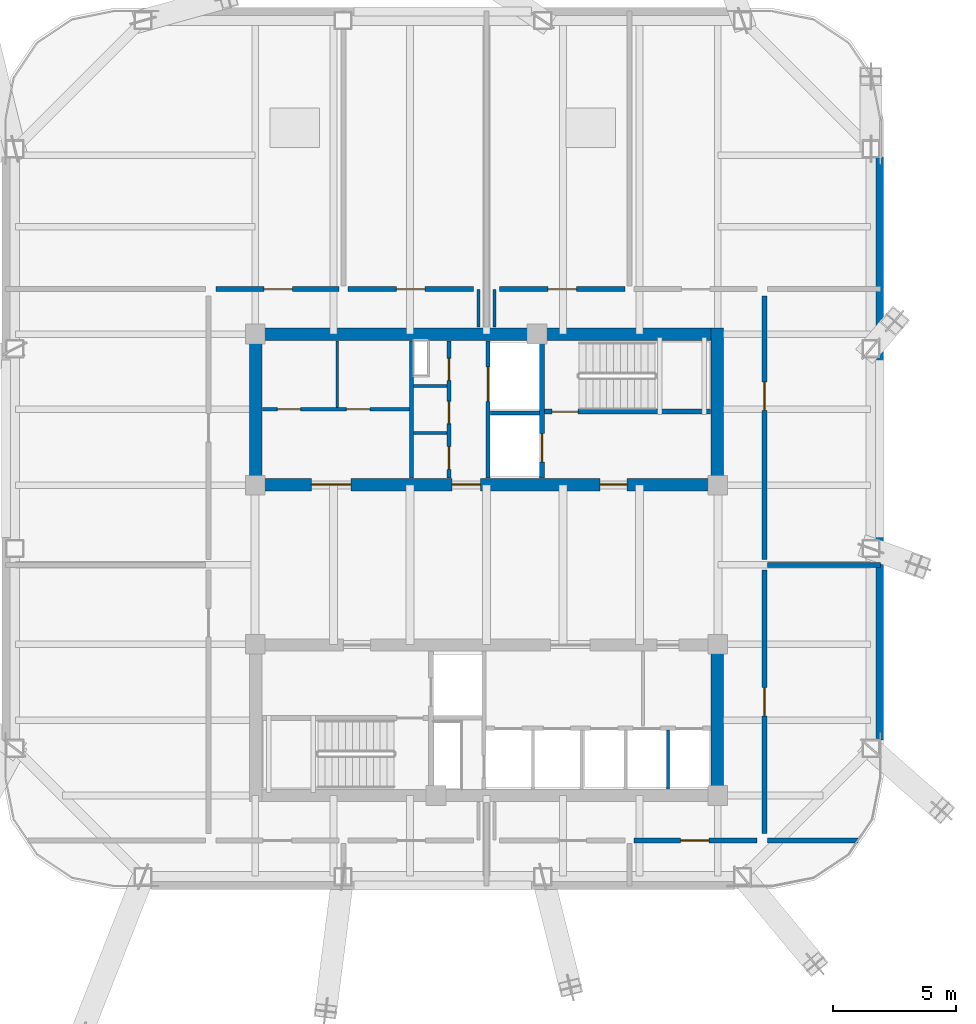
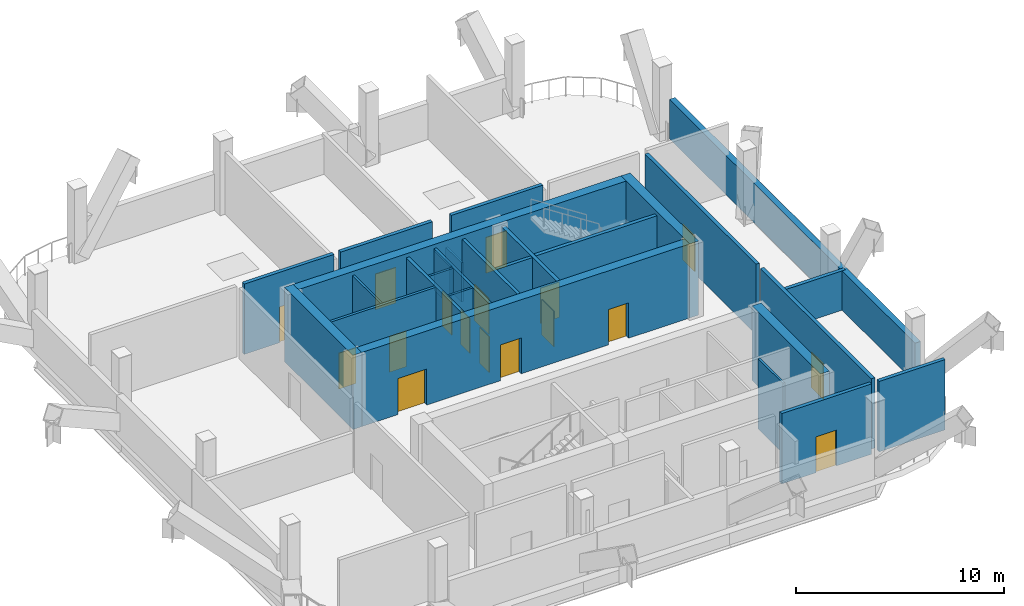
# One storey, part 4 of 8: 27 walls, 17 doors, 17 openings.
"""IFC4 building model written with IfcOpenShell, lengths in metres."""

from ifc_helpers import new_model, si_unit, direction, frame, frame_2d, origin, place, context, subcontext, project, spatial, rectangle, extrude, material, layer, layer_set, type_object, element, fill, save


model = new_model("IFC4")

# Units and contexts
model_context = context("Model", 3, precision=1e-05, world=origin(), true_north=direction((0.0, 1.0)))
body_context = subcontext(model_context, "Body", "Model", "MODEL_VIEW")
ifc_project = project(units=[si_unit("LENGTHUNIT", "METRE"), si_unit("AREAUNIT", "SQUARE_METRE"), si_unit("VOLUMEUNIT", "CUBIC_METRE"), si_unit("PLANEANGLEUNIT", "RADIAN"), si_unit("MASSUNIT", "GRAM", prefix="KILO")], contexts=[model_context])

# Site, building, storey
site_placement = place(None, origin())
site = spatial("IfcSite", under=ifc_project, at=site_placement, CompositionType="ELEMENT")
building_placement = place(site_placement, origin())
building = spatial("IfcBuilding", under=site, at=building_placement, Name="Qhalaya Broadcast Tower", CompositionType="ELEMENT")
storey_placement = place(building_placement, frame((0.0, 0.0, 151.800048828125)))
storey = spatial("IfcBuildingStorey", under=building, at=storey_placement, Name="L44", CompositionType="ELEMENT", Elevation=151.800048828125)

# Wall, openings, doors
ifc_material_1 = material(Name="Gypsum Acoustic Partition")
ifc_layer_1 = layer(ifc_material_1, 0.14990234375, Name="Gypsum Acoustic Partition")
ifc_layer_set_1 = layer_set([ifc_layer_1], Name="Gypsum Acoustic Partition")
wall_type_1 = type_object("IfcWallType", Name="Corridor & Tenancy Acoustic Partition 150", PredefinedType="PARTITIONING", material=ifc_layer_set_1)
wall_1_placement = place(storey_placement, frame((-1.52001953125, 4.1201171875, 0.0), z_axis=(0.0, 0.0, 1.0), x_axis=(0.0, 1.0, 0.0)))
wall_1 = element("IfcWall", 1, at=wall_1_placement, inside=storey, type_object=wall_type_1, Name="L44 Partition Wall NCW-SVL", PredefinedType="PARTITIONING", context=body_context, shape_type="SweptSolid", body=[
    extrude(rectangle(XDim=5.559814453125, YDim=0.14990234375, at=frame_2d((2.77978515625, 0.0))), origin(), (0.0, 0.0, 1.0), 4.1298828125),
])
opening_1_placement = place(wall_1_placement, frame((3.949951171875, 0.0, 0.0)))
opening_1 = element("IfcOpeningElement", 2, at=opening_1_placement, cuts=wall_1, Name="Opening D06", PredefinedType="OPENING", context=body_context, shape_type="SweptSolid", body=[
    extrude(rectangle(XDim=0.89990234375, YDim=2.050048828125, at=frame_2d((0.449951171875, 1.02490234375))), frame((0.0, 0.0869140625, 0.0), z_axis=(0.0, -1.0, 0.0), x_axis=(1.0, 0.0, 0.0)), (0.0, 0.0, 1.0), 0.173828125),
])
opening_2_placement = place(wall_1_placement, frame((2.199951171875, 0.0, 0.0)))
opening_2 = element("IfcOpeningElement", 3, at=opening_2_placement, cuts=wall_1, Name="Opening D06", PredefinedType="OPENING", context=body_context, shape_type="SweptSolid", body=[
    extrude(rectangle(XDim=0.89990234375, YDim=2.050048828125, at=frame_2d((0.449951171875, 1.02490234375))), frame((0.0, 0.0869140625, 0.0), z_axis=(0.0, -1.0, 0.0), x_axis=(1.0, 0.0, 0.0)), (0.0, 0.0, 1.0), 0.173828125),
])
opening_3_placement = place(wall_1_placement, frame((0.35009765625, 0.0, 0.0)))
opening_3 = element("IfcOpeningElement", 4, at=opening_3_placement, cuts=wall_1, Name="Opening D12", PredefinedType="OPENING", context=body_context, shape_type="SweptSolid", body=[
    extrude(rectangle(XDim=0.919921875, YDim=2.10009765625, at=frame_2d((0.4599609375, 1.050048828125))), frame((0.0, 0.0869140625, 0.0), z_axis=(0.0, -1.0, 0.0), x_axis=(1.0, 0.0, 0.0)), (0.0, 0.0, 1.0), 0.173828125),
])
ifc_material_2 = material(Name="Timber Veneer Acoustic Door", Category="wood")
door_type_1 = type_object("IfcDoorType", Name="Accessible WC & Restroom Door D12", OperationType="NOTDEFINED", PredefinedType="DOOR", material=ifc_material_2)
door_1_placement = place(opening_3_placement, origin())
door_1 = element("IfcDoor", 5, at=door_1_placement, inside=storey, type_object=door_type_1, Name="L44 Door D-NCWC", OperationType="SINGLE_SWING_RIGHT", OverallHeight=2.10009765625, OverallWidth=0.919921875, PredefinedType="DOOR", context=body_context, shape_type="SweptSolid", body=[
    extrude(rectangle(XDim=0.919921875, YDim=2.10009765625, at=frame_2d((0.4599609375, 1.050048828125))), frame((0.0, 0.02490234375, 0.0), z_axis=(0.0, -1.0, 0.0), x_axis=(1.0, 0.0, 0.0)), (0.0, 0.0, 1.0), 0.050048828125),
])
fill(opening_3, door_1)
ifc_material_3 = material(Name="Fire-Rated Steel Door", Category="steel")
door_type_2 = type_object("IfcDoorType", Name="Riser & Electrical Shaft Access Door D06", OperationType="NOTDEFINED", PredefinedType="DOOR", material=ifc_material_3)
door_2_placement = place(opening_1_placement, origin())
door_2 = element("IfcDoor", 6, at=door_2_placement, inside=storey, type_object=door_type_2, Name="L44 Riser Shaft Access Door D-NRSR", OperationType="SINGLE_SWING_RIGHT", OverallHeight=2.050048828125, OverallWidth=0.89990234375, PredefinedType="DOOR", context=body_context, shape_type="SweptSolid", body=[
    extrude(rectangle(XDim=0.89990234375, YDim=2.050048828125, at=frame_2d((0.449951171875, 1.02490234375))), frame((0.0, 0.02490234375, 0.0), z_axis=(0.0, -1.0, 0.0), x_axis=(1.0, 0.0, 0.0)), (0.0, 0.0, 1.0), 0.050048828125),
])
fill(opening_1, door_2)
door_3_placement = place(opening_2_placement, origin())
door_3 = element("IfcDoor", 7, at=door_3_placement, inside=storey, type_object=door_type_2, Name="L44 Door D-NITR", OperationType="SINGLE_SWING_LEFT", OverallHeight=2.050048828125, OverallWidth=0.89990234375, PredefinedType="DOOR", context=body_context, shape_type="SweptSolid", body=[
    extrude(rectangle(XDim=0.89990234375, YDim=2.050048828125, at=frame_2d((0.449951171875, 1.02490234375))), frame((0.0, 0.02490234375, 0.0), z_axis=(0.0, -1.0, 0.0), x_axis=(1.0, 0.0, 0.0)), (0.0, 0.0, 1.0), 0.050048828125),
])
fill(opening_2, door_3)

wall_2_placement = place(storey_placement, frame((-9.080078125, 6.89990234375, 0.0), z_axis=(0.0, 0.0, 1.0), x_axis=(1.0, 0.0, 0.0)))
wall_2 = element("IfcWall", 8, at=wall_2_placement, inside=storey, type_object=wall_type_1, Name="L44 Partition Wall NCW-REC1", PredefinedType="PARTITIONING", context=body_context, shape_type="SweptSolid", body=[
    extrude(rectangle(XDim=5.9599609375, YDim=0.14990234375, at=frame_2d((2.97998046875, 0.0))), origin(), (0.0, 0.0, 1.0), 4.1298828125),
])
opening_4_placement = place(wall_2_placement, frame((0.60009765625, 0.0, 0.0)))
opening_4 = element("IfcOpeningElement", 9, at=opening_4_placement, cuts=wall_2, Name="Opening D10", PredefinedType="OPENING", context=body_context, shape_type="SweptSolid", body=[
    extrude(rectangle(XDim=0.949951171875, YDim=2.10009765625, at=frame_2d((0.47509765625, 1.050048828125))), frame((0.0, 0.0869140625, 0.0), z_axis=(0.0, -1.0, 0.0), x_axis=(1.0, 0.0, 0.0)), (0.0, 0.0, 1.0), 0.173828125),
])
opening_5_placement = place(wall_2_placement, frame((3.39990234375, 0.0, 0.0)))
opening_5 = element("IfcOpeningElement", 10, at=opening_5_placement, cuts=wall_2, Name="Opening D10", PredefinedType="OPENING", context=body_context, shape_type="SweptSolid", body=[
    extrude(rectangle(XDim=0.949951171875, YDim=2.10009765625, at=frame_2d((0.47509765625, 1.050048828125))), frame((0.0, 0.0869140625, 0.0), z_axis=(0.0, -1.0, 0.0), x_axis=(1.0, 0.0, 0.0)), (0.0, 0.0, 1.0), 0.173828125),
])
door_type_3 = type_object("IfcDoorType", Name="Cellular Office & Edit Booth Door D10", OperationType="NOTDEFINED", PredefinedType="DOOR", material=ifc_material_2)
door_4_placement = place(opening_4_placement, origin())
door_4 = element("IfcDoor", 11, at=door_4_placement, inside=storey, type_object=door_type_3, Name="L44 Door D-NREC1", OperationType="SINGLE_SWING_LEFT", OverallHeight=2.10009765625, OverallWidth=0.949951171875, PredefinedType="DOOR", context=body_context, shape_type="SweptSolid", body=[
    extrude(rectangle(XDim=0.949951171875, YDim=2.10009765625, at=frame_2d((0.47509765625, 1.050048828125))), frame((0.0, 0.02490234375, 0.0), z_axis=(0.0, -1.0, 0.0), x_axis=(1.0, 0.0, 0.0)), (0.0, 0.0, 1.0), 0.050048828125),
])
fill(opening_4, door_4)
door_5_placement = place(opening_5_placement, origin())
door_5 = element("IfcDoor", 12, at=door_5_placement, inside=storey, type_object=door_type_3, Name="L44 Door D-NREC2", OperationType="SINGLE_SWING_RIGHT", OverallHeight=2.10009765625, OverallWidth=0.949951171875, PredefinedType="DOOR", context=body_context, shape_type="SweptSolid", body=[
    extrude(rectangle(XDim=0.949951171875, YDim=2.10009765625, at=frame_2d((0.47509765625, 1.050048828125))), frame((0.0, 0.02490234375, 0.0), z_axis=(0.0, -1.0, 0.0), x_axis=(1.0, 0.0, 0.0)), (0.0, 0.0, 1.0), 0.050048828125),
])
fill(opening_5, door_5)

# Wall, opening, door
ifc_layer_2 = layer(ifc_material_1, 0.199951171875, Name="Gypsum Acoustic Partition")
ifc_layer_set_2 = layer_set([ifc_layer_2], Name="Gypsum Acoustic Partition")
wall_type_2 = type_object("IfcWallType", Name="Firefighting Lobby & Stair Enclosure Wall 200", PredefinedType="PARTITIONING", material=ifc_layer_set_2)
wall_3_placement = place(storey_placement, frame((-5.97998046875, 11.77001953125, 0.0), z_axis=(0.0, 0.0, 1.0), x_axis=(-1.0, 0.0, 0.0)))
wall_3 = element("IfcWall", 13, at=wall_3_placement, inside=storey, type_object=wall_type_2, Name="L44 Partition Wall W-PCN0", PredefinedType="PARTITIONING", context=body_context, shape_type="SweptSolid", body=[
    extrude(rectangle(XDim=4.989990234375, YDim=0.199951171875, at=frame_2d((2.4951171875, 0.0))), origin(), (0.0, 0.0, 1.0), 4.1298828125),
])
opening_6_placement = place(wall_3_placement, frame((1.889892578125, 0.0, 0.0)))
opening_6 = element("IfcOpeningElement", 14, at=opening_6_placement, cuts=wall_3, Name="Opening D05", PredefinedType="OPENING", context=body_context, shape_type="SweptSolid", body=[
    extrude(rectangle(XDim=1.14990234375, YDim=2.10009765625, at=frame_2d((0.574951171875, 1.050048828125))), frame((0.0, 0.112060546875, 0.0), z_axis=(0.0, -1.0, 0.0), x_axis=(1.0, 0.0, 0.0)), (0.0, 0.0, 1.0), 0.223876953125),
])
door_type_4 = type_object("IfcDoorType", Name="Refuge & Plant Room Fire Door D05", OperationType="NOTDEFINED", PredefinedType="DOOR", material=ifc_material_3)
door_6_placement = place(opening_6_placement, origin())
door_6 = element("IfcDoor", 15, at=door_6_placement, inside=storey, type_object=door_type_4, Name="L44 Door D-PCN0", OperationType="SINGLE_SWING_LEFT", OverallHeight=2.10009765625, OverallWidth=1.14990234375, PredefinedType="DOOR", context=body_context, shape_type="SweptSolid", body=[
    extrude(rectangle(XDim=1.14990234375, YDim=2.10009765625, at=frame_2d((0.574951171875, 1.050048828125))), frame((0.0, 0.02490234375, 0.0), z_axis=(0.0, -1.0, 0.0), x_axis=(1.0, 0.0, 0.0)), (0.0, 0.0, 1.0), 0.050048828125),
])
fill(opening_6, door_6)

wall_4_placement = place(storey_placement, frame((-0.530029296875, 11.77001953125, 0.0), z_axis=(0.0, 0.0, 1.0), x_axis=(-1.0, 0.0, 0.0)))
wall_4 = element("IfcWall", 16, at=wall_4_placement, inside=storey, type_object=wall_type_2, Name="L44 Partition Wall W-PCN1", PredefinedType="PARTITIONING", context=body_context, shape_type="SweptSolid", body=[
    extrude(rectangle(XDim=5.090087890625, YDim=0.199951171875, at=frame_2d((2.544921875, 0.0))), origin(), (0.0, 0.0, 1.0), 4.1298828125),
])
opening_7_placement = place(wall_4_placement, frame((1.969970703125, 0.0, 0.0)))
opening_7 = element("IfcOpeningElement", 17, at=opening_7_placement, cuts=wall_4, Name="Opening D05", PredefinedType="OPENING", context=body_context, shape_type="SweptSolid", body=[
    extrude(rectangle(XDim=1.14990234375, YDim=2.10009765625, at=frame_2d((0.574951171875, 1.050048828125))), frame((0.0, 0.112060546875, 0.0), z_axis=(0.0, -1.0, 0.0), x_axis=(1.0, 0.0, 0.0)), (0.0, 0.0, 1.0), 0.223876953125),
])
door_7_placement = place(opening_7_placement, origin())
door_7 = element("IfcDoor", 18, at=door_7_placement, inside=storey, type_object=door_type_4, Name="L44 Door D-PCN1", OperationType="SINGLE_SWING_LEFT", OverallHeight=2.10009765625, OverallWidth=1.14990234375, PredefinedType="DOOR", context=body_context, shape_type="SweptSolid", body=[
    extrude(rectangle(XDim=1.14990234375, YDim=2.10009765625, at=frame_2d((0.574951171875, 1.050048828125))), frame((0.0, 0.02490234375, 0.0), z_axis=(0.0, -1.0, 0.0), x_axis=(1.0, 0.0, 0.0)), (0.0, 0.0, 1.0), 0.050048828125),
])
fill(opening_7, door_7)

wall_5_placement = place(storey_placement, frame((5.6201171875, 11.77001953125, 0.0), z_axis=(0.0, 0.0, 1.0), x_axis=(-1.0, 0.0, 0.0)))
wall_5 = element("IfcWall", 19, at=wall_5_placement, inside=storey, type_object=wall_type_2, Name="L44 Partition Wall W-PCN2", PredefinedType="PARTITIONING", context=body_context, shape_type="SweptSolid", body=[
    extrude(rectangle(XDim=5.090087890625, YDim=0.199951171875, at=frame_2d((2.544921875, 0.0))), origin(), (0.0, 0.0, 1.0), 4.1298828125),
])
opening_8_placement = place(wall_5_placement, frame((1.969970703125, 0.0, 0.0)))
opening_8 = element("IfcOpeningElement", 20, at=opening_8_placement, cuts=wall_5, Name="Opening D05", PredefinedType="OPENING", context=body_context, shape_type="SweptSolid", body=[
    extrude(rectangle(XDim=1.14990234375, YDim=2.10009765625, at=frame_2d((0.574951171875, 1.050048828125))), frame((0.0, 0.112060546875, 0.0), z_axis=(0.0, -1.0, 0.0), x_axis=(1.0, 0.0, 0.0)), (0.0, 0.0, 1.0), 0.223876953125),
])
door_8_placement = place(opening_8_placement, origin())
door_8 = element("IfcDoor", 21, at=door_8_placement, inside=storey, type_object=door_type_4, Name="L44 Door D-PCN2", OperationType="SINGLE_SWING_LEFT", OverallHeight=2.10009765625, OverallWidth=1.14990234375, PredefinedType="DOOR", context=body_context, shape_type="SweptSolid", body=[
    extrude(rectangle(XDim=1.14990234375, YDim=2.10009765625, at=frame_2d((0.574951171875, 1.050048828125))), frame((0.0, 0.02490234375, 0.0), z_axis=(0.0, -1.0, 0.0), x_axis=(1.0, 0.0, 0.0)), (0.0, 0.0, 1.0), 0.050048828125),
])
fill(opening_8, door_8)

wall_6_placement = place(storey_placement, frame((5.97998046875, -10.570068359375, 0.0), z_axis=(0.0, 0.0, 1.0), x_axis=(1.0, 0.0, 0.0)))
wall_6 = element("IfcWall", 22, at=wall_6_placement, inside=storey, type_object=wall_type_2, Name="L44 Partition Wall W-PCS3", PredefinedType="PARTITIONING", context=body_context, shape_type="SweptSolid", body=[
    extrude(rectangle(XDim=4.989990234375, YDim=0.199951171875, at=frame_2d((2.4951171875, 0.0))), origin(), (0.0, 0.0, 1.0), 4.1298828125),
])
opening_9_placement = place(wall_6_placement, frame((1.889892578125, 0.0, 0.0)))
opening_9 = element("IfcOpeningElement", 23, at=opening_9_placement, cuts=wall_6, Name="Opening D05", PredefinedType="OPENING", context=body_context, shape_type="SweptSolid", body=[
    extrude(rectangle(XDim=1.14990234375, YDim=2.10009765625, at=frame_2d((0.574951171875, 1.050048828125))), frame((0.0, 0.112060546875, 0.0), z_axis=(0.0, -1.0, 0.0), x_axis=(1.0, 0.0, 0.0)), (0.0, 0.0, 1.0), 0.223876953125),
])
door_9_placement = place(opening_9_placement, origin())
door_9 = element("IfcDoor", 24, at=door_9_placement, inside=storey, type_object=door_type_4, Name="L44 Door D-PCS3", OperationType="SINGLE_SWING_RIGHT", OverallHeight=2.10009765625, OverallWidth=1.14990234375, PredefinedType="DOOR", context=body_context, shape_type="SweptSolid", body=[
    extrude(rectangle(XDim=1.14990234375, YDim=2.10009765625, at=frame_2d((0.574951171875, 1.050048828125))), frame((0.0, 0.02490234375, 0.0), z_axis=(0.0, -1.0, 0.0), x_axis=(1.0, 0.0, 0.0)), (0.0, 0.0, 1.0), 0.050048828125),
])
fill(opening_9, door_9)

# Walls
wall_7_placement = place(storey_placement, frame((11.389892578125, -10.570068359375, 0.0), z_axis=(0.0, 0.0, 1.0), x_axis=(1.0, 0.0, 0.0)))
element("IfcWall", 25, at=wall_7_placement, inside=storey, type_object=wall_type_2, Name="L44 Partition Wall W-PBSE", PredefinedType="PARTITIONING", context=body_context, shape_type="SweptSolid", body=[
    extrude(rectangle(XDim=3.663330078125, YDim=0.199951171875, at=frame_2d((1.83154296875, 0.0))), origin(), (0.0, 0.0, 1.0), 4.1298828125),
])
wall_8_placement = place(storey_placement, frame((11.389892578125, 0.60009765625, 0.0), z_axis=(0.0, 0.0, 1.0), x_axis=(1.0, 0.0, 0.0)))
element("IfcWall", 26, at=wall_8_placement, inside=storey, type_object=wall_type_2, Name="L44 Partition Wall W-PDE1", PredefinedType="PARTITIONING", context=body_context, shape_type="SweptSolid", body=[
    extrude(rectangle(XDim=4.570068359375, YDim=0.199951171875, at=frame_2d((2.28515625, 0.0))), origin(), (0.0, 0.0, 1.0), 2.31005859375),
])

# Wall, opening, door
wall_9_placement = place(storey_placement, frame((11.27001953125, -10.2900390625, 0.0), z_axis=(0.0, 0.0, 1.0), x_axis=(0.0, 1.0, 0.0)))
wall_9 = element("IfcWall", 27, at=wall_9_placement, inside=storey, type_object=wall_type_2, Name="L44 Partition Wall W-PCE1", PredefinedType="PARTITIONING", context=body_context, shape_type="SweptSolid", body=[
    extrude(rectangle(XDim=10.679931640625, YDim=0.199951171875, at=frame_2d((5.33984375, 0.0))), origin(), (0.0, 0.0, 1.0), 4.1298828125),
])
opening_10_placement = place(wall_9_placement, frame((4.764892578125, 0.0, 0.0)))
opening_10 = element("IfcOpeningElement", 28, at=opening_10_placement, cuts=wall_9, Name="Opening D05", PredefinedType="OPENING", context=body_context, shape_type="SweptSolid", body=[
    extrude(rectangle(XDim=1.14990234375, YDim=2.10009765625, at=frame_2d((0.574951171875, 1.050048828125))), frame((0.0, 0.112060546875, 0.0), z_axis=(0.0, -1.0, 0.0), x_axis=(1.0, 0.0, 0.0)), (0.0, 0.0, 1.0), 0.223876953125),
])
door_10_placement = place(opening_10_placement, origin())
door_10 = element("IfcDoor", 29, at=door_10_placement, inside=storey, type_object=door_type_4, Name="L44 Door D-PCE1", OperationType="SINGLE_SWING_RIGHT", OverallHeight=2.10009765625, OverallWidth=1.14990234375, PredefinedType="DOOR", context=body_context, shape_type="SweptSolid", body=[
    extrude(rectangle(XDim=1.14990234375, YDim=2.10009765625, at=frame_2d((0.574951171875, 1.050048828125))), frame((0.0, 0.02490234375, 0.0), z_axis=(0.0, -1.0, 0.0), x_axis=(1.0, 0.0, 0.0)), (0.0, 0.0, 1.0), 0.050048828125),
])
fill(opening_10, door_10)

wall_10_placement = place(storey_placement, frame((11.27001953125, 0.81005859375, 0.0), z_axis=(0.0, 0.0, 1.0), x_axis=(0.0, 1.0, 0.0)))
wall_10 = element("IfcWall", 30, at=wall_10_placement, inside=storey, type_object=wall_type_2, Name="L44 Partition Wall W-PCE2", PredefinedType="PARTITIONING", context=body_context, shape_type="SweptSolid", body=[
    extrude(rectangle(XDim=10.679931640625, YDim=0.199951171875, at=frame_2d((5.33984375, 0.0))), origin(), (0.0, 0.0, 1.0), 4.1298828125),
])
opening_11_placement = place(wall_10_placement, frame((6.047119140625, 0.0, 0.0)))
opening_11 = element("IfcOpeningElement", 31, at=opening_11_placement, cuts=wall_10, Name="Opening D05", PredefinedType="OPENING", context=body_context, shape_type="SweptSolid", body=[
    extrude(rectangle(XDim=1.14990234375, YDim=2.10009765625, at=frame_2d((0.574951171875, 1.050048828125))), frame((0.0, 0.112060546875, 0.0), z_axis=(0.0, -1.0, 0.0), x_axis=(1.0, 0.0, 0.0)), (0.0, 0.0, 1.0), 0.223876953125),
])
door_11_placement = place(opening_11_placement, origin())
door_11 = element("IfcDoor", 32, at=door_11_placement, inside=storey, type_object=door_type_4, Name="L44 Door D-PCE2", OperationType="SINGLE_SWING_LEFT", OverallHeight=2.10009765625, OverallWidth=1.14990234375, PredefinedType="DOOR", context=body_context, shape_type="SweptSolid", body=[
    extrude(rectangle(XDim=1.14990234375, YDim=2.10009765625, at=frame_2d((0.574951171875, 1.050048828125))), frame((0.0, 0.02490234375, 0.0), z_axis=(0.0, -1.0, 0.0), x_axis=(1.0, 0.0, 0.0)), (0.0, 0.0, 1.0), 0.050048828125),
])
fill(opening_11, door_11)

ifc_material_4 = material(Name="Concrete C50/60", Category="concrete")
ifc_layer_3 = layer(ifc_material_4, 0.199951171875, Name="Concrete C50/60")
ifc_layer_set_3 = layer_set([ifc_layer_3], Name="Concrete C50/60")
wall_type_3 = type_object("IfcWallType", Name="Load-Bearing Stair Shaft Wall 200", PredefinedType="SHEAR", material=ifc_layer_set_3)
wall_11_placement = place(storey_placement, frame((2.360107421875, 6.804931640625, 0.0), z_axis=(0.0, 0.0, 1.0), x_axis=(1.0, 0.0, 0.0)))
wall_11 = element("IfcWall", 33, at=wall_11_placement, inside=storey, type_object=wall_type_3, Name="L44 Stair Core Shear Wall NCW-ST1", PredefinedType="SHEAR", context=body_context, shape_type="SweptSolid", body=[
    extrude(rectangle(XDim=6.719970703125, YDim=0.199951171875, at=frame_2d((3.35986328125, 0.0))), origin(), (0.0, 0.0, 1.0), 4.1298828125),
])
opening_12_placement = place(wall_11_placement, frame((0.300048828125, 0.0, 0.0)))
opening_12 = element("IfcOpeningElement", 34, at=opening_12_placement, cuts=wall_11, Name="Opening D03", PredefinedType="OPENING", context=body_context, shape_type="SweptSolid", body=[
    extrude(rectangle(XDim=1.050048828125, YDim=2.080078125, at=frame_2d((0.52490234375, 1.0400390625))), frame((0.0, 0.112060546875, 0.0), z_axis=(0.0, -1.0, 0.0), x_axis=(1.0, 0.0, 0.0)), (0.0, 0.0, 1.0), 0.223876953125),
])
door_type_5 = type_object("IfcDoorType", Name="Core Stair Protected Fire Door D03", OperationType="NOTDEFINED", PredefinedType="DOOR", material=ifc_material_3)
door_12_placement = place(opening_12_placement, origin())
door_12 = element("IfcDoor", 35, at=door_12_placement, inside=storey, type_object=door_type_5, Name="L44 Door D-NST1", OperationType="SINGLE_SWING_LEFT", OverallHeight=2.080078125, OverallWidth=1.050048828125, PredefinedType="DOOR", context=body_context, shape_type="SweptSolid", body=[
    extrude(rectangle(XDim=1.050048828125, YDim=2.080078125, at=frame_2d((0.52490234375, 1.0400390625))), frame((0.0, 0.02490234375, 0.0), z_axis=(0.0, -1.0, 0.0), x_axis=(1.0, 0.0, 0.0)), (0.0, 0.0, 1.0), 0.050048828125),
])
fill(opening_12, door_12)

wall_12_placement = place(storey_placement, frame((2.25, 4.1201171875, 0.0), z_axis=(0.0, 0.0, 1.0), x_axis=(0.0, 1.0, 0.0)))
wall_12 = element("IfcWall", 36, at=wall_12_placement, inside=storey, type_object=wall_type_3, Name="L44 Stair Core Shear Wall NCW-FF", PredefinedType="SHEAR", context=body_context, shape_type="SweptSolid", body=[
    extrude(rectangle(XDim=5.559814453125, YDim=0.199951171875, at=frame_2d((2.77978515625, 0.0))), origin(), (0.0, 0.0, 1.0), 4.1298828125),
])
opening_13_placement = place(wall_12_placement, frame((0.64990234375, 0.0, 0.0)))
opening_13 = element("IfcOpeningElement", 37, at=opening_13_placement, cuts=wall_12, Name="Opening LD2", PredefinedType="OPENING", context=body_context, shape_type="SweptSolid", body=[
    extrude(rectangle(XDim=1.14990234375, YDim=2.080078125, at=frame_2d((0.574951171875, 1.0400390625))), frame((0.0, 0.112060546875, 0.0), z_axis=(0.0, -1.0, 0.0), x_axis=(1.0, 0.0, 0.0)), (0.0, 0.0, 1.0), 0.223876953125),
])
ifc_material_5 = material(Name="Brushed Stainless Steel Lift Door", Category="steel")
door_type_6 = type_object("IfcDoorType", Name="Firefighting Lift Sliding Landing Door LD2", OperationType="DOUBLE_DOOR_SLIDING", PredefinedType="DOOR", material=ifc_material_5)
door_13_placement = place(opening_13_placement, origin())
door_13 = element("IfcDoor", 38, at=door_13_placement, inside=storey, type_object=door_type_6, Name="L44 Door LD-FF1", OperationType="DOUBLE_DOOR_SLIDING", OverallHeight=2.080078125, OverallWidth=1.14990234375, PredefinedType="DOOR", context=body_context, shape_type="SweptSolid", body=[
    extrude(rectangle(XDim=1.14990234375, YDim=2.080078125, at=frame_2d((0.574951171875, 1.0400390625))), frame((0.0, 0.02490234375, 0.0), z_axis=(0.0, -1.0, 0.0), x_axis=(1.0, 0.0, 0.0)), (0.0, 0.0, 1.0), 0.050048828125),
])
fill(opening_13, door_13)

# Wall
ifc_layer_4 = layer(ifc_material_4, 0.5, Name="Concrete C50/60")
ifc_layer_set_4 = layer_set([ifc_layer_4], Name="Concrete C50/60")
wall_type_4 = type_object("IfcWallType", Name="Mid Split-Core Shear Wall 500", PredefinedType="SHEAR", material=ifc_layer_set_4)
wall_13_placement = place(storey_placement, frame((-9.60009765625, 9.949951171875, 0.0), z_axis=(0.0, 0.0, 1.0), x_axis=(1.0, 0.0, 0.0)))
element("IfcWall", 39, at=wall_13_placement, inside=storey, type_object=wall_type_4, Name="L44 Split-Core Shear Wall CW-NN", PredefinedType="SHEAR", context=body_context, shape_type="SweptSolid", body=[
    extrude(rectangle(XDim=19.2001953125, YDim=0.5, at=frame_2d((9.60009765625, 0.0))), origin(), (0.0, 0.0, 1.0), 4.349853515625),
])

# Wall, openings, doors
wall_14_placement = place(storey_placement, frame((-9.60009765625, 3.85009765625, 0.0), z_axis=(0.0, 0.0, 1.0), x_axis=(1.0, 0.0, 0.0)))
wall_14 = element("IfcWall", 40, at=wall_14_placement, inside=storey, type_object=wall_type_4, Name="L44 Split-Core Shear Wall CW-NS", PredefinedType="SHEAR", context=body_context, shape_type="SweptSolid", body=[
    extrude(rectangle(XDim=19.2001953125, YDim=0.5, at=frame_2d((9.60009765625, 0.0))), origin(), (0.0, 0.0, 1.0), 4.349853515625),
])
opening_14_placement = place(wall_14_placement, frame((14.199951171875, 0.0, 0.0)))
opening_14 = element("IfcOpeningElement", 41, at=opening_14_placement, cuts=wall_14, Name="Opening D04", PredefinedType="OPENING", context=body_context, shape_type="SweptSolid", body=[
    extrude(rectangle(XDim=1.10009765625, YDim=2.080078125, at=frame_2d((0.550048828125, 1.0400390625))), frame((0.0, 0.261962890625, 0.0), z_axis=(0.0, -1.0, 0.0), x_axis=(1.0, 0.0, 0.0)), (0.0, 0.0, 1.0), 0.52392578125),
])
opening_15_placement = place(wall_14_placement, frame((8.199951171875, 0.0, 0.0)))
opening_15 = element("IfcOpeningElement", 42, at=opening_15_placement, cuts=wall_14, Name="Opening D05", PredefinedType="OPENING", context=body_context, shape_type="SweptSolid", body=[
    extrude(rectangle(XDim=1.14990234375, YDim=2.10009765625, at=frame_2d((0.574951171875, 1.050048828125))), frame((0.0, 0.261962890625, 0.0), z_axis=(0.0, -1.0, 0.0), x_axis=(1.0, 0.0, 0.0)), (0.0, 0.0, 1.0), 0.52392578125),
])
opening_16_placement = place(wall_14_placement, frame((2.5, 0.0, 0.0)))
opening_16 = element("IfcOpeningElement", 43, at=opening_16_placement, cuts=wall_14, Name="Opening D07", PredefinedType="OPENING", context=body_context, shape_type="SweptSolid", body=[
    extrude(rectangle(XDim=1.60009765625, YDim=2.1201171875, at=frame_2d((0.800048828125, 1.06005859375))), frame((0.0, 0.261962890625, 0.0), z_axis=(0.0, -1.0, 0.0), x_axis=(1.0, 0.0, 0.0)), (0.0, 0.0, 1.0), 0.52392578125),
])
door_type_7 = type_object("IfcDoorType", Name="Firefighting Lobby Rated Door D04", OperationType="NOTDEFINED", PredefinedType="DOOR", material=ifc_material_3)
door_14_placement = place(opening_14_placement, origin())
door_14 = element("IfcDoor", 44, at=door_14_placement, inside=storey, type_object=door_type_7, Name="L44 Door D-NFF", OperationType="SINGLE_SWING_RIGHT", OverallHeight=2.080078125, OverallWidth=1.10009765625, PredefinedType="DOOR", context=body_context, shape_type="SweptSolid", body=[
    extrude(rectangle(XDim=1.10009765625, YDim=2.080078125, at=frame_2d((0.550048828125, 1.0400390625))), frame((0.0, 0.02490234375, 0.0), z_axis=(0.0, -1.0, 0.0), x_axis=(1.0, 0.0, 0.0)), (0.0, 0.0, 1.0), 0.050048828125),
])
fill(opening_14, door_14)
ifc_material_6 = material(Name="Anodised Aluminium Glazed Door", Category="aluminium")
door_type_8 = type_object("IfcDoorType", Name="Passenger Lift Lobby Double Glazed Door D07", OperationType="DOUBLE_DOOR_SINGLE_SWING", PredefinedType="DOOR", material=ifc_material_6)
door_15_placement = place(opening_16_placement, origin())
door_15 = element("IfcDoor", 45, at=door_15_placement, inside=storey, type_object=door_type_8, Name="L44 Door D-NRECV", OperationType="DOUBLE_DOOR_SINGLE_SWING", OverallHeight=2.1201171875, OverallWidth=1.60009765625, PredefinedType="DOOR", context=body_context, shape_type="SweptSolid", body=[
    extrude(rectangle(XDim=1.60009765625, YDim=2.1201171875, at=frame_2d((0.800048828125, 1.06005859375))), frame((0.0, 0.02490234375, 0.0), z_axis=(0.0, -1.0, 0.0), x_axis=(1.0, 0.0, 0.0)), (0.0, 0.0, 1.0), 0.050048828125),
])
fill(opening_16, door_15)
door_16_placement = place(opening_15_placement, origin())
door_16 = element("IfcDoor", 46, at=door_16_placement, inside=storey, type_object=door_type_4, Name="L44 Door D-NSVL", OperationType="SINGLE_SWING_LEFT", OverallHeight=2.10009765625, OverallWidth=1.14990234375, PredefinedType="DOOR", context=body_context, shape_type="SweptSolid", body=[
    extrude(rectangle(XDim=1.14990234375, YDim=2.10009765625, at=frame_2d((0.574951171875, 1.050048828125))), frame((0.0, 0.02490234375, 0.0), z_axis=(0.0, -1.0, 0.0), x_axis=(1.0, 0.0, 0.0)), (0.0, 0.0, 1.0), 0.050048828125),
])
fill(opening_15, door_16)

# Walls
for number, where, z_axis, x_axis, name in (
    (47, (-9.35009765625, 3.60009765625, 0.0), (0.0, 0.0, 1.0), (0.0, 1.0, 0.0), "L44 Split-Core Shear Wall CW-NW"),
    (48, (9.35009765625, 3.60009765625, 0.0), (0.0, 0.0, 1.0), (0.0, 1.0, 0.0), "L44 Split-Core Shear Wall CW-NE"),
):
    element("IfcWall", number, at=place(storey_placement, frame(where, z_axis=z_axis, x_axis=x_axis)), inside=storey, type_object=wall_type_4, Name=name, PredefinedType="SHEAR", context=body_context, shape_type="SweptSolid", body=[
        extrude(rectangle(XDim=6.599853515625, YDim=0.5, at=frame_2d((3.2998046875, 0.0))), origin(), (0.0, 0.0, 1.0), 4.349853515625),
    ])
wall_15_placement = place(storey_placement, frame((9.35009765625, -9.0, 0.0), z_axis=(0.0, 0.0, 1.0), x_axis=(0.0, 1.0, 0.0)))
element("IfcWall", 49, at=wall_15_placement, inside=storey, type_object=wall_type_4, Name="L44 Split-Core Shear Wall CW-SE", PredefinedType="SHEAR", context=body_context, shape_type="SweptSolid", body=[
    extrude(rectangle(XDim=6.60009765625, YDim=0.5, at=frame_2d((3.300048828125, 0.0))), origin(), (0.0, 0.0, 1.0), 4.349853515625),
])
ifc_layer_5 = layer(ifc_material_1, 0.1201171875, Name="Gypsum Acoustic Partition")
ifc_layer_set_5 = layer_set([ifc_layer_5], Name="Gypsum Acoustic Partition")
wall_type_5 = type_object("IfcWallType", Name="Office, Booth & Sanitary Partition 120", PredefinedType="PARTITIONING", material=ifc_layer_set_5)
for number, where, z_axis, x_axis, name in (
    (50, (-2.9599609375, 5.949951171875, 0.0), (0.0, 0.0, 1.0), (1.0, 0.0, 0.0), "L44 Partition Wall NCW-VB1"),
    (51, (-2.9599609375, 7.85009765625, 0.0), (0.0, 0.0, 1.0), (1.0, 0.0, 0.0), "L44 Partition Wall NCW-VB2"),
):
    element("IfcWall", number, at=place(storey_placement, frame(where, z_axis=z_axis, x_axis=x_axis)), inside=storey, type_object=wall_type_5, Name=name, PredefinedType="PARTITIONING", context=body_context, shape_type="SweptSolid", body=[
        extrude(rectangle(XDim=1.35986328125, YDim=0.1201171875, at=frame_2d((0.679931640625, 0.0))), origin(), (0.0, 0.0, 1.0), 4.1298828125),
    ])
wall_16_placement = place(storey_placement, frame((-6.050048828125, 6.97998046875, 0.0), z_axis=(0.0, 0.0, 1.0), x_axis=(0.0, 1.0, 0.0)))
element("IfcWall", 52, at=wall_16_placement, inside=storey, type_object=wall_type_5, Name="L44 Partition Wall NCW-REC2", PredefinedType="PARTITIONING", context=body_context, shape_type="SweptSolid", body=[
    extrude(rectangle(XDim=2.699951171875, YDim=0.1201171875, at=frame_2d((1.35009765625, 0.0))), origin(), (0.0, 0.0, 1.0), 4.1298828125),
])
wall_17_placement = place(storey_placement, frame((7.360107421875, -8.47998046875, 0.0), z_axis=(0.0, 0.0, 1.0), x_axis=(0.0, 1.0, 0.0)))
element("IfcWall", 53, at=wall_17_placement, inside=storey, type_object=wall_type_5, Name="L44 Partition Wall SCW-HD7", PredefinedType="PARTITIONING", context=body_context, shape_type="SweptSolid", body=[
    extrude(rectangle(XDim=2.3798828125, YDim=0.1201171875, at=frame_2d((1.18994140625, 0.0))), origin(), (0.0, 0.0, 1.0), 4.1298828125),
])
for number, where, z_axis, x_axis, name in (
    (54, (-0.320068359375, 10.239990234375, 0.0), (0.0, 0.0, 1.0), (0.0, 1.0, 0.0), "L44 Partition Wall W-OBNCW"),
    (55, (0.320068359375, 10.239990234375, 0.0), (0.0, 0.0, 1.0), (0.0, 1.0, 0.0), "L44 Partition Wall W-OBNCE"),
):
    element("IfcWall", number, at=place(storey_placement, frame(where, z_axis=z_axis, x_axis=x_axis)), inside=storey, type_object=wall_type_5, Name=name, PredefinedType="PARTITIONING", context=body_context, shape_type="SweptSolid", body=[
        extrude(rectangle(XDim=1.510009765625, YDim=0.1201171875, at=frame_2d((0.7548828125, 0.0))), origin(), (0.0, 0.0, 1.0), 2.31005859375),
    ])
ifc_material_7 = material(Name="Precast Concrete C40/50", Category="concrete")
ifc_layer_6 = layer(ifc_material_7, 0.320068359375, Name="Precast Concrete C40/50")
ifc_layer_set_6 = layer_set([ifc_layer_6], Name="Precast Concrete C40/50")
wall_type_6 = type_object("IfcWallType", Name="Recessed Neck Insulated Exterior Wall 320", PredefinedType="SOLIDWALL", material=ifc_layer_set_6)
wall_18_placement = place(storey_placement, frame((15.93994140625, 17.1220703125, 0.0), z_axis=(0.0, 0.0, 1.0), x_axis=(0.0, -1.0, 0.0)))
element("IfcWall", 56, at=wall_18_placement, inside=storey, type_object=wall_type_6, Name="L44 Exterior Facade Wall E", PredefinedType="SOLIDWALL", context=body_context, shape_type="SweptSolid", body=[
    extrude(rectangle(XDim=23.6240234375, YDim=0.320068359375, at=frame_2d((11.81201171875, 0.0))), origin(), (0.0, 0.0, 1.0), 2.31005859375),
])

# Wall, opening, door
ifc_layer_7 = layer(ifc_material_1, 0.175048828125, Name="Gypsum Acoustic Partition")
ifc_layer_set_7 = layer_set([ifc_layer_7], Name="Gypsum Acoustic Partition")
wall_type_7 = type_object("IfcWallType", Name="Shaft & Riser Fire Partition 175", PredefinedType="PARTITIONING", material=ifc_layer_set_7)
wall_19_placement = place(storey_placement, frame((0.06005859375, 4.1201171875, 0.0), z_axis=(0.0, 0.0, 1.0), x_axis=(0.0, 1.0, 0.0)))
wall_19 = element("IfcWall", 57, at=wall_19_placement, inside=storey, type_object=wall_type_7, Name="L44 Partition Wall NCW-SVW", PredefinedType="PARTITIONING", context=body_context, shape_type="SweptSolid", body=[
    extrude(rectangle(XDim=5.559814453125, YDim=0.175048828125, at=frame_2d((2.77978515625, 0.0))), origin(), (0.0, 0.0, 1.0), 4.1298828125),
])
opening_17_placement = place(wall_19_placement, frame((3.10009765625, 0.0, 0.0)))
opening_17 = element("IfcOpeningElement", 58, at=opening_17_placement, cuts=wall_19, Name="Opening LD3", PredefinedType="OPENING", context=body_context, shape_type="SweptSolid", body=[
    extrude(rectangle(XDim=1.39990234375, YDim=2.1201171875, at=frame_2d((0.699951171875, 1.06005859375))), frame((0.0, 0.099609375, 0.0), z_axis=(0.0, -1.0, 0.0), x_axis=(1.0, 0.0, 0.0)), (0.0, 0.0, 1.0), 0.198974609375),
])
door_type_9 = type_object("IfcDoorType", Name="Service Lift Wide Sliding Landing Door LD3", OperationType="DOUBLE_DOOR_SLIDING", PredefinedType="DOOR", material=ifc_material_5)
door_17_placement = place(opening_17_placement, origin())
door_17 = element("IfcDoor", 59, at=door_17_placement, inside=storey, type_object=door_type_9, Name="L44 Door LD-SV1", OperationType="DOUBLE_DOOR_SLIDING", OverallHeight=2.1201171875, OverallWidth=1.39990234375, PredefinedType="DOOR", context=body_context, shape_type="SweptSolid", body=[
    extrude(rectangle(XDim=1.39990234375, YDim=2.1201171875, at=frame_2d((0.699951171875, 1.06005859375))), frame((0.0, 0.02490234375, 0.0), z_axis=(0.0, -1.0, 0.0), x_axis=(1.0, 0.0, 0.0)), (0.0, 0.0, 1.0), 0.050048828125),
])
fill(opening_17, door_17)

# Walls
wall_20_placement = place(storey_placement, frame((0.159912109375, 6.75, 0.0), z_axis=(0.0, 0.0, 1.0), x_axis=(1.0, 0.0, 0.0)))
element("IfcWall", 60, at=wall_20_placement, inside=storey, type_object=wall_type_7, Name="L44 Partition Wall NCW-SVM", PredefinedType="PARTITIONING", context=body_context, shape_type="SweptSolid", body=[
    extrude(rectangle(XDim=1.97998046875, YDim=0.175048828125, at=frame_2d((0.989990234375, 0.0))), origin(), (0.0, 0.0, 1.0), 4.1298828125),
])
wall_21_placement = place(storey_placement, frame((-3.0400390625, 4.1201171875, 0.0), z_axis=(0.0, 0.0, 1.0), x_axis=(0.0, 1.0, 0.0)))
element("IfcWall", 61, at=wall_21_placement, inside=storey, type_object=wall_type_7, Name="L44 Partition Wall NCW-VRW", PredefinedType="PARTITIONING", context=body_context, shape_type="SweptSolid", body=[
    extrude(rectangle(XDim=5.559814453125, YDim=0.175048828125, at=frame_2d((2.77978515625, 0.0))), origin(), (0.0, 0.0, 1.0), 4.1298828125),
])

save(model, "model.ifc")
